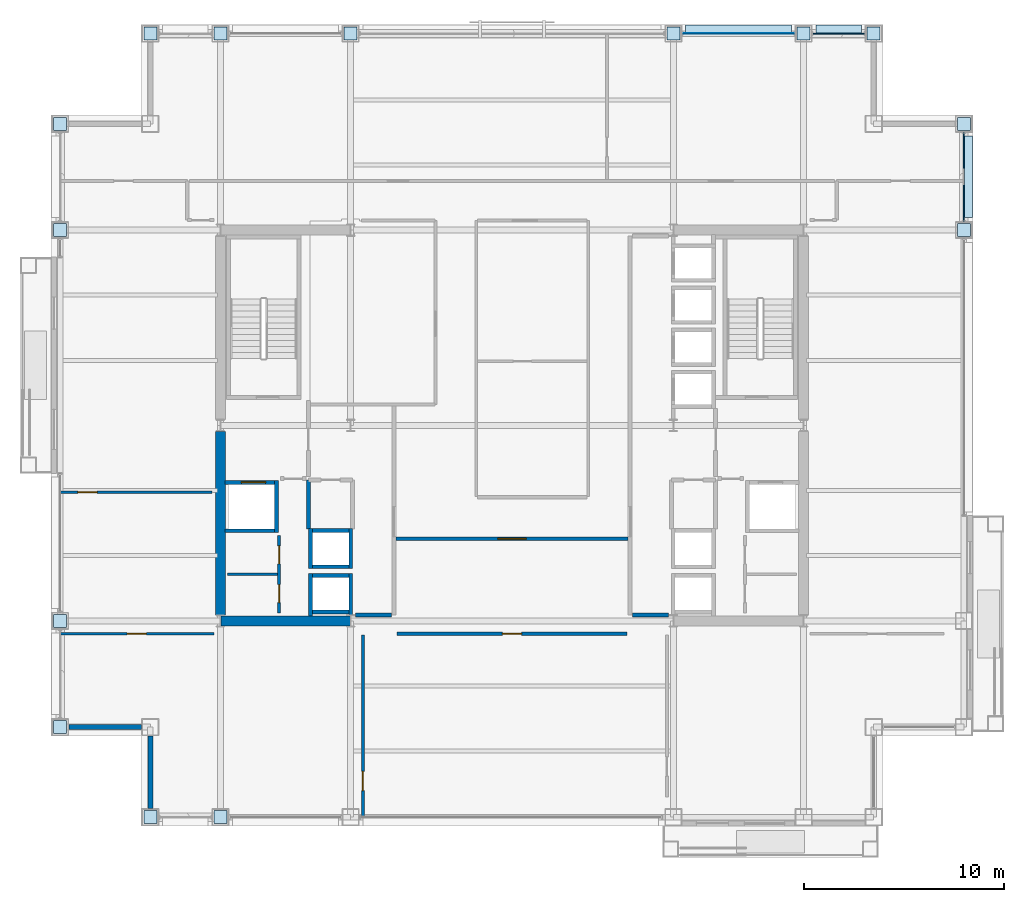
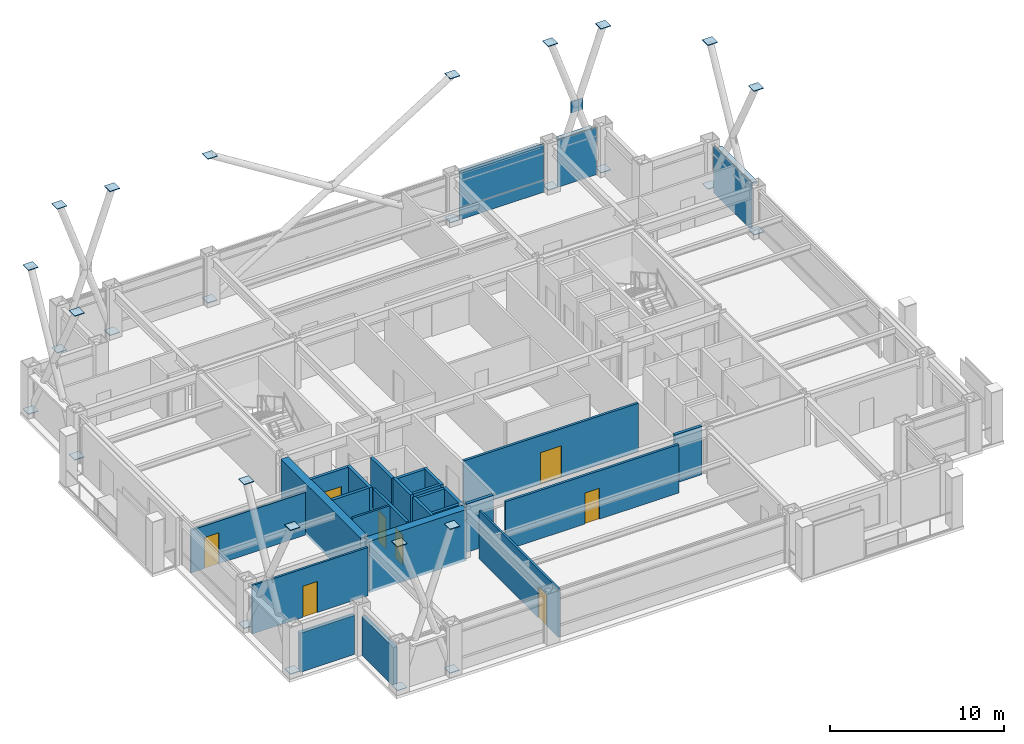
# One storey, part 28 of 34: 36 plates, 25 walls, 8 doors, 8 openings, 3 elements without a shape of their own.
"""IFC4 building model written with IfcOpenShell, lengths in metres."""

from ifc_helpers import new_model, si_unit, direction, frame, frame_2d, origin, origin_2d, place, context, subcontext, project, spatial, rectangle, extrude, material, layer, layer_set, type_object, element, fill, aggregate, save


model = new_model("IFC4")

# Units and contexts
model_context = context("Model", 3, precision=1e-05, world=origin(), true_north=direction((0.0, 1.0)))
body_context = subcontext(model_context, "Body", "Model", "MODEL_VIEW")
ifc_project = project(units=[si_unit("LENGTHUNIT", "METRE"), si_unit("AREAUNIT", "SQUARE_METRE"), si_unit("VOLUMEUNIT", "CUBIC_METRE"), si_unit("PLANEANGLEUNIT", "RADIAN"), si_unit("MASSUNIT", "GRAM", prefix="KILO")], contexts=[model_context])

# Site, building, storey
site_placement = place(None, origin())
site = spatial("IfcSite", under=ifc_project, at=site_placement, CompositionType="ELEMENT")
building_placement = place(site_placement, origin())
building = spatial("IfcBuilding", under=site, at=building_placement, Name="Brelmoor Portico Tower", CompositionType="ELEMENT")
storey_placement = place(building_placement, frame((0.0, 0.0, 99.0)))
storey = spatial("IfcBuildingStorey", under=building, at=storey_placement, Name="L25", CompositionType="ELEMENT", Elevation=99.0)

# Plates
ifc_material_1 = material(Name="Steel Q355B", Category="steel")
ifc_layer_1 = layer(ifc_material_1, 0.044921875)
ifc_layer_set_1 = layer_set([ifc_layer_1], Name="Steel Q355B")
plate_type_1 = type_object("IfcPlateType", Name="PT-CAP-650", PredefinedType="SHEET", material=ifc_layer_set_1)
for number, where, z_axis, x_axis, name in (
    (1, (-18.050048828125, -19.550048828125, 0.2275390625), (0.0, 0.0, 1.0), (1.0, 0.0, 0.0), "L25 Continuous Mega-X Brace 050A Joint Cap Plate 1"),
    (2, (-14.550048828125, -19.550048828125, 10.32763671875), (0.0, 0.0, 1.0), (1.0, 0.0, 0.0), "L25 Continuous Mega-X Brace 050A Joint Cap Plate 2"),
    (3, (-14.550048828125, -19.550048828125, 0.2275390625), (0.0, 0.0, 1.0), (1.0, 0.0, 0.0), "L25 Split Mega-X Brace 050B1 Joint Cap Plate 1"),
    (4, (-18.050048828125, -19.550048828125, 10.32763671875), (0.0, 0.0, 1.0), (1.0, 0.0, 0.0), "L25 Split Mega-X Brace 050B2 Joint Cap Plate 2"),
    (5, (-18.050048828125, 19.550048828125, 0.2275390625), (0.0, 0.0, 1.0), (1.0, 0.0, 0.0), "L25 Continuous Mega-X Brace 051A Joint Cap Plate 1"),
    (6, (-14.550048828125, 19.550048828125, 10.32763671875), (0.0, 0.0, 1.0), (1.0, 0.0, 0.0), "L25 Continuous Mega-X Brace 051A Joint Cap Plate 2"),
    (7, (-14.550048828125, 19.550048828125, 0.2275390625), (0.0, 0.0, 1.0), (1.0, 0.0, 0.0), "L25 Split Mega-X Brace 051B1 Joint Cap Plate 1"),
    (8, (-18.050048828125, 19.550048828125, 10.32763671875), (0.0, 0.0, 1.0), (1.0, 0.0, 0.0), "L25 Split Mega-X Brace 051B2 Joint Cap Plate 2"),
    (9, (-8.050048828125, 19.550048828125, 0.2275390625), (0.0, 0.0, 1.0), (1.0, 0.0, 0.0), "L25 Continuous Mega-X Brace 052A Joint Cap Plate 1"),
    (10, (8.050048828125, 19.550048828125, 10.32763671875), (0.0, 0.0, 1.0), (1.0, 0.0, 0.0), "L25 Continuous Mega-X Brace 052A Joint Cap Plate 2"),
    (11, (8.050048828125, 19.550048828125, 0.2275390625), (0.0, 0.0, 1.0), (1.0, 0.0, 0.0), "L25 Split Mega-X Brace 052B1 Joint Cap Plate 1"),
    (12, (-8.050048828125, 19.550048828125, 10.32763671875), (0.0, 0.0, 1.0), (1.0, 0.0, 0.0), "L25 Split Mega-X Brace 052B2 Joint Cap Plate 2"),
    (13, (14.550048828125, 19.550048828125, 0.2275390625), (0.0, 0.0, 1.0), (1.0, 0.0, 0.0), "L25 Continuous Mega-X Brace 053A Joint Cap Plate 1"),
    (14, (18.050048828125, 19.550048828125, 10.32763671875), (0.0, 0.0, 1.0), (1.0, 0.0, 0.0), "L25 Continuous Mega-X Brace 053A Joint Cap Plate 2"),
    (15, (18.050048828125, 19.550048828125, 0.2275390625), (0.0, 0.0, 1.0), (1.0, 0.0, 0.0), "L25 Split Mega-X Brace 053B1 Joint Cap Plate 1"),
    (16, (14.550048828125, 19.550048828125, 10.32763671875), (0.0, 0.0, 1.0), (1.0, 0.0, 0.0), "L25 Split Mega-X Brace 053B2 Joint Cap Plate 2"),
    (17, (-22.550048828125, -15.050048828125, 0.2275390625), (0.0, 0.0, 1.0), (1.0, 0.0, 0.0), "L25 Continuous Mega-X Brace 054A Joint Cap Plate 1"),
    (18, (-22.550048828125, -9.75, 10.32763671875), (0.0, 0.0, 1.0), (1.0, 0.0, 0.0), "L25 Continuous Mega-X Brace 054A Joint Cap Plate 2"),
    (19, (-22.550048828125, -9.75, 0.2275390625), (0.0, 0.0, 1.0), (1.0, 0.0, 0.0), "L25 Split Mega-X Brace 054B1 Joint Cap Plate 1"),
    (20, (-22.550048828125, -15.050048828125, 10.32763671875), (0.0, 0.0, 1.0), (1.0, 0.0, 0.0), "L25 Split Mega-X Brace 054B2 Joint Cap Plate 2"),
    (21, (-22.550048828125, 9.75, 0.2275390625), (0.0, 0.0, 1.0), (1.0, 0.0, 0.0), "L25 Continuous Mega-X Brace 055A Joint Cap Plate 1"),
    (22, (-22.550048828125, 15.050048828125, 10.32763671875), (0.0, 0.0, 1.0), (1.0, 0.0, 0.0), "L25 Continuous Mega-X Brace 055A Joint Cap Plate 2"),
    (23, (-22.550048828125, 15.050048828125, 0.2275390625), (0.0, 0.0, 1.0), (1.0, 0.0, 0.0), "L25 Split Mega-X Brace 055B1 Joint Cap Plate 1"),
    (24, (-22.550048828125, 9.75, 10.32763671875), (0.0, 0.0, 1.0), (1.0, 0.0, 0.0), "L25 Split Mega-X Brace 055B2 Joint Cap Plate 2"),
    (25, (22.550048828125, 9.75, 0.2275390625), (0.0, 0.0, 1.0), (1.0, 0.0, 0.0), "L25 Continuous Mega-X Brace 056A Joint Cap Plate 1"),
    (26, (22.550048828125, 15.050048828125, 10.32763671875), (0.0, 0.0, 1.0), (1.0, 0.0, 0.0), "L25 Continuous Mega-X Brace 056A Joint Cap Plate 2"),
    (27, (22.550048828125, 15.050048828125, 0.2275390625), (0.0, 0.0, 1.0), (1.0, 0.0, 0.0), "L25 Split Mega-X Brace 056B1 Joint Cap Plate 1"),
    (28, (22.550048828125, 9.75, 10.32763671875), (0.0, 0.0, 1.0), (1.0, 0.0, 0.0), "L25 Split Mega-X Brace 056B2 Joint Cap Plate 2"),
):
    element("IfcPlate", number, at=place(storey_placement, frame(where, z_axis=z_axis, x_axis=x_axis)), inside=storey, type_object=plate_type_1, Name=name, PredefinedType="SHEET", context=body_context, shape_type="SweptSolid", body=[
        extrude(rectangle(XDim=0.64990234375, YDim=0.64990234375, at=origin_2d()), origin(), (0.0, 0.0, 1.0), 0.044921875),
    ])

# Curtain wall, plates
ifc_material_2 = material(Name="Anodised Aluminium Alloy 6063-T6", Category="aluminium")
ifc_layer_2 = layer(ifc_material_2, 0.179931640625)
ifc_layer_set_2 = layer_set([ifc_layer_2], Name="Anodised Aluminium Alloy 6063-T6")
curtain_wall_type_1 = type_object("IfcCurtainWallType", Name="CW-TOWER-Z2", PredefinedType="NOTDEFINED", material=ifc_layer_set_2)
curtain_wall_1_placement = place(storey_placement, origin())
curtain_wall_1 = element("IfcCurtainWall", 29, at=curtain_wall_1_placement, inside=storey, type_object=curtain_wall_type_1, Name="L25 Curtain Wall CW-L25-02-4", PredefinedType="NOTDEFINED")
ifc_material_3 = material(Name="Double-Silver Low-E Insulated Glazing", Category="glass")
ifc_layer_3 = layer(ifc_material_3, 0.035888671875)
ifc_layer_set_3 = layer_set([ifc_layer_3], Name="Double-Silver Low-E Insulated Glazing")
plate_type_2 = type_object("IfcPlateType", Name="PT-CW-GLASS", PredefinedType="CURTAIN_PANEL", material=ifc_layer_set_3)
plate_1_placement = place(storey_placement, frame((11.300048828125, 19.550048828125, 0.85009765625), z_axis=(0.0, 0.0, 1.0), x_axis=(1.0, 0.0, 0.0)))
plate_1 = element("IfcPlate", 30, at=plate_1_placement, type_object=plate_type_2, Name="CW-L25-02-4 Vision Glass Panel 00", PredefinedType="CURTAIN_PANEL", context=body_context, shape_type="SweptSolid", body=[
    extrude(rectangle(XDim=5.60009765625, YDim=0.035888671875, at=origin_2d()), origin(), (0.0, 0.0, 1.0), 2.550048828125),
])
ifc_material_4 = material(Name="Pale Champagne Anodised Aluminium Panel", Category="aluminium")
ifc_layer_4 = layer(ifc_material_4, 0.050048828125)
ifc_layer_set_4 = layer_set([ifc_layer_4], Name="Pale Champagne Anodised Aluminium Panel")
plate_type_3 = type_object("IfcPlateType", Name="PT-CW-SPANDREL", PredefinedType="SHEET", material=ifc_layer_set_4)
plate_2_placement = place(storey_placement, frame((11.300048828125, 19.550048828125, 0.0), z_axis=(0.0, 0.0, 1.0), x_axis=(1.0, 0.0, 0.0)))
plate_2 = element("IfcPlate", 31, at=plate_2_placement, type_object=plate_type_3, Name="CW-L25-02-4 Spandrel Panel 00", PredefinedType="SHEET", context=body_context, shape_type="SweptSolid", body=[
    extrude(rectangle(XDim=5.60009765625, YDim=0.050048828125, at=origin_2d()), origin(), (0.0, 0.0, 1.0), 0.85009765625),
])
aggregate(curtain_wall_1, [plate_2, plate_1])

# Curtain wall, plate
ifc_layer_5 = layer(ifc_material_2, 0.179931640625)
ifc_layer_set_5 = layer_set([ifc_layer_5], Name="Anodised Aluminium Alloy 6063-T6")
curtain_wall_type_2 = type_object("IfcCurtainWallType", Name="CW-TOWER-Z2-XB", PredefinedType="NOTDEFINED", material=ifc_layer_set_5)
curtain_wall_2_placement = place(storey_placement, origin())
curtain_wall_2 = element("IfcCurtainWall", 32, at=curtain_wall_2_placement, inside=storey, type_object=curtain_wall_type_2, Name="L25 Curtain Wall CW-L25-02-5", PredefinedType="NOTDEFINED")
plate_3_placement = place(storey_placement, frame((16.300048828125, 19.550048828125, 0.0), z_axis=(0.0, 0.0, 1.0), x_axis=(1.0, 0.0, 0.0)))
plate_3 = element("IfcPlate", 33, at=plate_3_placement, type_object=plate_type_3, Name="CW-L25-02-5 Spandrel Panel 00", PredefinedType="SHEET", context=body_context, shape_type="SweptSolid", body=[
    extrude(rectangle(XDim=2.60009765625, YDim=0.050048828125, at=origin_2d()), origin(), (0.0, 0.0, 1.0), 3.330078125),
])
aggregate(curtain_wall_2, [plate_3])

curtain_wall_3_placement = place(storey_placement, origin())
curtain_wall_3 = element("IfcCurtainWall", 34, at=curtain_wall_3_placement, inside=storey, type_object=curtain_wall_type_2, Name="L25 Curtain Wall CW-L25-4R-2", PredefinedType="NOTDEFINED")
plate_4_placement = place(storey_placement, frame((22.550048828125, 12.39990234375, 0.0), z_axis=(0.0, 0.0, 1.0), x_axis=(0.0, 1.0, 0.0)))
plate_4 = element("IfcPlate", 35, at=plate_4_placement, type_object=plate_type_3, Name="CW-L25-4R-2 Spandrel Panel 00", PredefinedType="SHEET", context=body_context, shape_type="SweptSolid", body=[
    extrude(rectangle(XDim=4.39990234375, YDim=0.050048828125, at=origin_2d()), origin(), (0.0, 0.0, 1.0), 3.330078125),
])
aggregate(curtain_wall_3, [plate_4])

# Plates
ifc_layer_6 = layer(ifc_material_1, 0.050048828125)
ifc_layer_set_6 = layer_set([ifc_layer_6], Name="Steel Q355B")
plate_type_4 = type_object("IfcPlateType", Name="PT-GUSSET-800", PredefinedType="USERDEFINED", material=ifc_layer_set_6)
plate_5_placement = place(storey_placement, frame((16.300048828125, 19.550048828125, 4.89990234375), z_axis=(0.0, 0.0, 1.0), x_axis=(1.0, 0.0, 0.0)))
element("IfcPlate", 36, at=plate_5_placement, inside=storey, type_object=plate_type_4, Name="L25 Perimeter Mega-Brace Gusset 053", ObjectType="GUSSET PLATE", PredefinedType="USERDEFINED", context=body_context, shape_type="SweptSolid", body=[
    extrude(rectangle(XDim=0.800048828125, YDim=0.050048828125, at=origin_2d()), origin(), (0.0, 0.0, 1.0), 0.800048828125),
])
ifc_material_5 = material(Name="Pale Champagne Perforated Aluminium Solar Screen", Category="aluminium")
ifc_layer_7 = layer(ifc_material_5, 0.054931640625)
ifc_layer_set_7 = layer_set([ifc_layer_7], Name="Pale Champagne Perforated Aluminium Solar Screen")
plate_type_5 = type_object("IfcPlateType", Name="PT-SOLAR-LOUVRE", PredefinedType="SHEET", material=ifc_layer_set_7)
plate_6_placement = place(storey_placement, frame((11.300048828125, 19.760009765625, 3.08984375), z_axis=(0.0, 0.0, 1.0), x_axis=(1.0, 0.0, 0.0)))
element("IfcPlate", 37, at=plate_6_placement, inside=storey, type_object=plate_type_5, Name="CW-L25-02-4 Caribbean Brise-Soleil Solar Screen", PredefinedType="SHEET", context=body_context, shape_type="SweptSolid", body=[
    extrude(rectangle(XDim=5.27001953125, YDim=0.4599609375, at=origin_2d()), origin(), (0.0, 0.0, 1.0), 0.139892578125),
])
plate_7_placement = place(storey_placement, frame((16.300048828125, 19.760009765625, 3.08984375), z_axis=(0.0, 0.0, 1.0), x_axis=(1.0, 0.0, 0.0)))
element("IfcPlate", 38, at=plate_7_placement, inside=storey, type_object=plate_type_5, Name="CW-L25-02-5 Caribbean Brise-Soleil Solar Screen", PredefinedType="SHEET", context=body_context, shape_type="SweptSolid", body=[
    extrude(rectangle(XDim=2.27001953125, YDim=0.4599609375, at=origin_2d()), origin(), (0.0, 0.0, 1.0), 0.139892578125),
])
plate_8_placement = place(storey_placement, frame((22.760009765625, 12.39990234375, 3.08984375), z_axis=(0.0, 0.0, 1.0), x_axis=(0.0, 1.0, 0.0)))
element("IfcPlate", 39, at=plate_8_placement, inside=storey, type_object=plate_type_5, Name="CW-L25-4R-2 Caribbean Brise-Soleil Solar Screen", PredefinedType="SHEET", context=body_context, shape_type="SweptSolid", body=[
    extrude(rectangle(XDim=4.070068359375, YDim=0.4599609375, at=origin_2d()), origin(), (0.0, 0.0, 1.0), 0.139892578125),
])

# Walls
ifc_material_6 = material(Name="Concrete C60", Category="concrete")
ifc_layer_8 = layer(ifc_material_6, 0.5)
ifc_layer_set_8 = layer_set([ifc_layer_8], Name="Concrete C60")
wall_type_1 = type_object("IfcWallType", Name="WL-CORE-500", PredefinedType="SHEAR", material=ifc_layer_set_8)
wall_1_placement = place(storey_placement, frame((-14.530029296875, -9.75, -0.199951171875), z_axis=(0.0, 0.0, 1.0), x_axis=(1.0, 0.0, 0.0)))
element("IfcWall", 40, at=wall_1_placement, inside=storey, type_object=wall_type_1, Name="L25 WC South Shear Wall", PredefinedType="SHEAR", context=body_context, shape_type="SweptSolid", body=[
    extrude(rectangle(XDim=6.4599609375, YDim=0.5, at=frame_2d((3.22998046875, 0.0))), origin(), (0.0, 0.0, 1.0), 3.599853515625),
])
wall_2_placement = place(storey_placement, frame((-14.550048828125, -9.449951171875, -0.199951171875), z_axis=(0.0, 0.0, 1.0), x_axis=(0.0, 1.0, 0.0)))
element("IfcWall", 41, at=wall_2_placement, inside=storey, type_object=wall_type_1, Name="L25 WC Outer South Shear Wall", PredefinedType="SHEAR", context=body_context, shape_type="SweptSolid", body=[
    extrude(rectangle(XDim=9.14990234375, YDim=0.5, at=frame_2d((4.574951171875, 0.0))), origin(), (0.0, 0.0, 1.0), 3.599853515625),
])
ifc_material_7 = material(Name="Precast Concrete C40 Insulated Facade Wall", Category="concrete")
ifc_layer_9 = layer(ifc_material_7, 0.25)
ifc_layer_set_9 = layer_set([ifc_layer_9], Name="Precast Concrete C40 Insulated Facade Wall")
wall_type_2 = type_object("IfcWallType", Name="WL-EXT-250", PredefinedType="STANDARD", material=ifc_layer_set_9)
for number, where, z_axis, x_axis, name in (
    (42, (-22.114990234375, -15.050048828125, 0.0), (0.0, 0.0, 1.0), (1.0, 0.0, 0.0), "L25 Corner Notch Facade Wall NSWH1"),
    (43, (-18.050048828125, -19.114990234375, 0.0), (0.0, 0.0, 1.0), (0.0, 1.0, 0.0), "L25 Corner Notch Facade Wall NSWV1"),
):
    element("IfcWall", number, at=place(storey_placement, frame(where, z_axis=z_axis, x_axis=x_axis)), inside=storey, type_object=wall_type_2, Name=name, PredefinedType="STANDARD", context=body_context, shape_type="SweptSolid", body=[
        extrude(rectangle(XDim=3.6298828125, YDim=0.25, at=frame_2d((1.81494140625, 0.0))), origin(), (0.0, 0.0, 1.0), 2.75),
    ])
ifc_material_8 = material(Name="Insulated Stud Suite Partition", Category="gypsum")
ifc_layer_10 = layer(ifc_material_8, 0.139892578125)
ifc_layer_set_10 = layer_set([ifc_layer_10], Name="Insulated Stud Suite Partition")
wall_type_3 = type_object("IfcWallType", Name="WL-PART-140", PredefinedType="PARTITIONING", material=ifc_layer_set_10)
wall_3_placement = place(storey_placement, frame((-11.699951171875, -7.425048828125, 0.0), z_axis=(0.0, 0.0, 1.0), x_axis=(-1.0, 0.0, 0.0)))
element("IfcWall", 44, at=wall_3_placement, inside=storey, type_object=wall_type_3, Name="L25 W Core WC Divider 1", PredefinedType="PARTITIONING", context=body_context, shape_type="SweptSolid", body=[
    extrude(rectangle(XDim=2.5, YDim=0.139892578125, at=frame_2d((1.25, 0.0))), origin(), (0.0, 0.0, 1.0), 3.39990234375),
])

# Wall, opening, door
wall_4_placement = place(storey_placement, frame((-7.4404296875, -19.56005859375, 0.0), z_axis=(0.0, 0.0, 1.0), x_axis=(0.0, 1.0, 0.0)))
wall_4 = element("IfcWall", 45, at=wall_4_placement, inside=storey, type_object=wall_type_3, Name="L25 South Suite Partition 1", PredefinedType="PARTITIONING", context=body_context, shape_type="SweptSolid", body=[
    extrude(rectangle(XDim=9.10009765625, YDim=0.139892578125, at=frame_2d((4.550048828125, 0.0))), origin(), (0.0, 0.0, 1.0), 3.39990234375),
])
opening_1_placement = place(wall_4_placement, frame((1.340087890625, 0.0, 0.0)))
opening_1 = element("IfcOpeningElement", 46, at=opening_1_placement, cuts=wall_4, Name="Opening D-IN2", PredefinedType="OPENING", context=body_context, shape_type="SweptSolid", body=[
    extrude(rectangle(XDim=0.9599609375, YDim=2.179931640625, at=frame_2d((0.47998046875, 1.08984375))), frame((0.0, 0.079833984375, 0.0), z_axis=(0.0, -1.0, 0.0), x_axis=(1.0, 0.0, 0.0)), (0.0, 0.0, 1.0), 0.159912109375),
])
ifc_material_9 = material(Name="Lacquered Timber Suite Door", Category="wood")
door_type_1 = type_object("IfcDoorType", Name="DR-INT-950", OperationType="NOTDEFINED", PredefinedType="DOOR", material=ifc_material_9)
door_1_placement = place(opening_1_placement, origin())
door_1 = element("IfcDoor", 47, at=door_1_placement, inside=storey, type_object=door_type_1, Name="D-1114 L25 South Suite Connecting Door 1", OperationType="SINGLE_SWING_RIGHT", OverallHeight=2.179931640625, OverallWidth=0.9599609375, PredefinedType="DOOR", context=body_context, shape_type="SweptSolid", body=[
    extrude(rectangle(XDim=0.9599609375, YDim=2.179931640625, at=frame_2d((0.47998046875, 1.08984375))), frame((0.0, 0.02490234375, 0.0), z_axis=(0.0, -1.0, 0.0), x_axis=(1.0, 0.0, 0.0)), (0.0, 0.0, 1.0), 0.050048828125),
])
fill(opening_1, door_1)

wall_5_placement = place(storey_placement, frame((-22.56005859375, -10.39990234375, 0.0), z_axis=(0.0, 0.0, 1.0), x_axis=(1.0, 0.0, 0.0)))
wall_5 = element("IfcWall", 48, at=wall_5_placement, inside=storey, type_object=wall_type_3, Name="L25 South Wing Closure WL", PredefinedType="PARTITIONING", context=body_context, shape_type="SweptSolid", body=[
    extrude(rectangle(XDim=7.68017578125, YDim=0.139892578125, at=frame_2d((3.840087890625, 0.0))), origin(), (0.0, 0.0, 1.0), 3.39990234375),
])
opening_2_placement = place(wall_5_placement, frame((3.360107421875, 0.0, 0.0)))
opening_2 = element("IfcOpeningElement", 49, at=opening_2_placement, cuts=wall_5, Name="Opening D-IN2", PredefinedType="OPENING", context=body_context, shape_type="SweptSolid", body=[
    extrude(rectangle(XDim=0.9599609375, YDim=2.179931640625, at=frame_2d((0.47998046875, 1.08984375))), frame((0.0, 0.079833984375, 0.0), z_axis=(0.0, -1.0, 0.0), x_axis=(1.0, 0.0, 0.0)), (0.0, 0.0, 1.0), 0.159912109375),
])
door_2_placement = place(opening_2_placement, origin())
door_2 = element("IfcDoor", 50, at=door_2_placement, inside=storey, type_object=door_type_1, Name="D-1119 L25 WL Wing South Suite Door", OperationType="SINGLE_SWING_LEFT", OverallHeight=2.179931640625, OverallWidth=0.9599609375, PredefinedType="DOOR", context=body_context, shape_type="SweptSolid", body=[
    extrude(rectangle(XDim=0.9599609375, YDim=2.179931640625, at=frame_2d((0.47998046875, 1.08984375))), frame((0.0, 0.02490234375, 0.0), z_axis=(0.0, -1.0, 0.0), x_axis=(1.0, 0.0, 0.0)), (0.0, 0.0, 1.0), 0.050048828125),
])
fill(opening_2, door_2)

wall_6_placement = place(storey_placement, frame((-22.56005859375, -3.33642578125, 0.0), z_axis=(0.0, 0.0, 1.0), x_axis=(1.0, 0.0, 0.0)))
wall_6 = element("IfcWall", 51, at=wall_6_placement, inside=storey, type_object=wall_type_3, Name="L25 W Wing Partition 1", PredefinedType="PARTITIONING", context=body_context, shape_type="SweptSolid", body=[
    extrude(rectangle(XDim=7.60009765625, YDim=0.139892578125, at=frame_2d((3.800048828125, 0.0))), origin(), (0.0, 0.0, 1.0), 3.0),
])
opening_3_placement = place(wall_6_placement, frame((0.89990234375, 0.0, 0.0)))
opening_3 = element("IfcOpeningElement", 52, at=opening_3_placement, cuts=wall_6, Name="Opening D-IN2", PredefinedType="OPENING", context=body_context, shape_type="SweptSolid", body=[
    extrude(rectangle(XDim=0.9599609375, YDim=2.179931640625, at=frame_2d((0.47998046875, 1.08984375))), frame((0.0, 0.079833984375, 0.0), z_axis=(0.0, -1.0, 0.0), x_axis=(1.0, 0.0, 0.0)), (0.0, 0.0, 1.0), 0.159912109375),
])
door_3_placement = place(opening_3_placement, origin())
door_3 = element("IfcDoor", 53, at=door_3_placement, inside=storey, type_object=door_type_1, Name="D-1125 L25 W Wing Suite Connecting Door 1", OperationType="SINGLE_SWING_RIGHT", OverallHeight=2.179931640625, OverallWidth=0.9599609375, PredefinedType="DOOR", context=body_context, shape_type="SweptSolid", body=[
    extrude(rectangle(XDim=0.9599609375, YDim=2.179931640625, at=frame_2d((0.47998046875, 1.08984375))), frame((0.0, 0.02490234375, 0.0), z_axis=(0.0, -1.0, 0.0), x_axis=(1.0, 0.0, 0.0)), (0.0, 0.0, 1.0), 0.050048828125),
])
fill(opening_3, door_3)

# Wall, openings, doors
ifc_material_10 = material(Name="Twin-Frame Acoustic Partition", Category="gypsum")
ifc_layer_11 = layer(ifc_material_10, 0.159912109375)
ifc_layer_set_11 = layer_set([ifc_layer_11], Name="Twin-Frame Acoustic Partition")
wall_type_4 = type_object("IfcWallType", Name="WL-PART-160", PredefinedType="PARTITIONING", material=ifc_layer_set_11)
wall_7_placement = place(storey_placement, frame((-11.6201171875, -9.35009765625, 0.0), z_axis=(0.0, 0.0, 1.0), x_axis=(0.0, 1.0, 0.0)))
wall_7 = element("IfcWall", 54, at=wall_7_placement, inside=storey, type_object=wall_type_4, Name="L25 W Core Service Front Wall", PredefinedType="PARTITIONING", context=body_context, shape_type="SweptSolid", body=[
    extrude(rectangle(XDim=3.85009765625, YDim=0.159912109375, at=frame_2d((1.925048828125, 0.0))), origin(), (0.0, 0.0, 1.0), 3.39990234375),
])
opening_4_placement = place(wall_7_placement, frame((0.512451171875, 0.0, 0.0)))
opening_4 = element("IfcOpeningElement", 55, at=opening_4_placement, cuts=wall_7, Name="Opening D-IN1", PredefinedType="OPENING", context=body_context, shape_type="SweptSolid", body=[
    extrude(rectangle(XDim=0.89990234375, YDim=2.14990234375, at=frame_2d((0.449951171875, 1.074951171875))), frame((0.0, 0.08984375, 0.0), z_axis=(0.0, -1.0, 0.0), x_axis=(1.0, 0.0, 0.0)), (0.0, 0.0, 1.0), 0.179931640625),
])
opening_5_placement = place(wall_7_placement, frame((2.4375, 0.0, 0.0)))
opening_5 = element("IfcOpeningElement", 56, at=opening_5_placement, cuts=wall_7, Name="Opening D-IN1", PredefinedType="OPENING", context=body_context, shape_type="SweptSolid", body=[
    extrude(rectangle(XDim=0.89990234375, YDim=2.14990234375, at=frame_2d((0.449951171875, 1.074951171875))), frame((0.0, 0.08984375, 0.0), z_axis=(0.0, -1.0, 0.0), x_axis=(1.0, 0.0, 0.0)), (0.0, 0.0, 1.0), 0.179931640625),
])
door_type_2 = type_object("IfcDoorType", Name="DR-INT-900", OperationType="NOTDEFINED", PredefinedType="DOOR", material=ifc_material_9)
door_4_placement = place(opening_4_placement, origin())
door_4 = element("IfcDoor", 57, at=door_4_placement, inside=storey, type_object=door_type_2, Name="D-1099 L25 W Accessible WC Door", OperationType="SINGLE_SWING_LEFT", OverallHeight=2.14990234375, OverallWidth=0.89990234375, PredefinedType="DOOR", context=body_context, shape_type="SweptSolid", body=[
    extrude(rectangle(XDim=0.89990234375, YDim=2.14990234375, at=frame_2d((0.449951171875, 1.074951171875))), frame((0.0, 0.02490234375, 0.0), z_axis=(0.0, -1.0, 0.0), x_axis=(1.0, 0.0, 0.0)), (0.0, 0.0, 1.0), 0.050048828125),
])
fill(opening_4, door_4)
door_5_placement = place(opening_5_placement, origin())
door_5 = element("IfcDoor", 58, at=door_5_placement, inside=storey, type_object=door_type_2, Name="D-1100 L25 W Staff WC Door", OperationType="SINGLE_SWING_RIGHT", OverallHeight=2.14990234375, OverallWidth=0.89990234375, PredefinedType="DOOR", context=body_context, shape_type="SweptSolid", body=[
    extrude(rectangle(XDim=0.89990234375, YDim=2.14990234375, at=frame_2d((0.449951171875, 1.074951171875))), frame((0.0, 0.02490234375, 0.0), z_axis=(0.0, -1.0, 0.0), x_axis=(1.0, 0.0, 0.0)), (0.0, 0.0, 1.0), 0.050048828125),
])
fill(opening_5, door_5)

# Wall, opening, door
wall_8_placement = place(storey_placement, frame((-5.800048828125, -5.64990234375, 0.0), z_axis=(0.0, 0.0, 1.0), x_axis=(1.0, 0.0, 0.0)))
wall_8 = element("IfcWall", 59, at=wall_8_placement, inside=storey, type_object=wall_type_4, Name="L25 South Hub Corridor Wall", PredefinedType="PARTITIONING", context=body_context, shape_type="SweptSolid", body=[
    extrude(rectangle(XDim=11.60009765625, YDim=0.159912109375, at=frame_2d((5.800048828125, 0.0))), origin(), (0.0, 0.0, 1.0), 3.39990234375),
])
opening_6_placement = place(wall_8_placement, frame((5.10009765625, 0.0, 0.0)))
opening_6 = element("IfcOpeningElement", 60, at=opening_6_placement, cuts=wall_8, Name="Opening D-SU2", PredefinedType="OPENING", context=body_context, shape_type="SweptSolid", body=[
    extrude(rectangle(XDim=1.39990234375, YDim=2.199951171875, at=frame_2d((0.699951171875, 1.10009765625))), frame((0.0, 0.08984375, 0.0), z_axis=(0.0, -1.0, 0.0), x_axis=(1.0, 0.0, 0.0)), (0.0, 0.0, 1.0), 0.179931640625),
])
ifc_material_11 = material(Name="Double-Leaf Acoustic Suite Door", Category="timber")
door_type_3 = type_object("IfcDoorType", Name="DR-SUITE-1400", OperationType="NOTDEFINED", PredefinedType="DOOR", material=ifc_material_11)
door_6_placement = place(opening_6_placement, origin())
door_6 = element("IfcDoor", 61, at=door_6_placement, inside=storey, type_object=door_type_3, Name="D-1092 L25 South Reception Hub Door", OperationType="DOUBLE_DOOR_SINGLE_SWING", OverallHeight=2.199951171875, OverallWidth=1.39990234375, PredefinedType="DOOR", context=body_context, shape_type="SweptSolid", body=[
    extrude(rectangle(XDim=1.39990234375, YDim=2.199951171875, at=frame_2d((0.699951171875, 1.10009765625))), frame((0.0, 0.02490234375, 0.0), z_axis=(0.0, -1.0, 0.0), x_axis=(1.0, 0.0, 0.0)), (0.0, 0.0, 1.0), 0.050048828125),
])
fill(opening_6, door_6)

wall_9_placement = place(storey_placement, frame((-5.75, -10.39990234375, 0.0), z_axis=(0.0, 0.0, 1.0), x_axis=(1.0, 0.0, 0.0)))
wall_9 = element("IfcWall", 62, at=wall_9_placement, inside=storey, type_object=wall_type_4, Name="L25 South Corridor Partition", PredefinedType="PARTITIONING", context=body_context, shape_type="SweptSolid", body=[
    extrude(rectangle(XDim=11.5, YDim=0.159912109375, at=frame_2d((5.75, 0.0))), origin(), (0.0, 0.0, 1.0), 3.39990234375),
])
opening_7_placement = place(wall_9_placement, frame((5.27001953125, 0.0, 0.0)))
opening_7 = element("IfcOpeningElement", 63, at=opening_7_placement, cuts=wall_9, Name="Opening D-IN2", PredefinedType="OPENING", context=body_context, shape_type="SweptSolid", body=[
    extrude(rectangle(XDim=0.9599609375, YDim=2.179931640625, at=frame_2d((0.47998046875, 1.08984375))), frame((0.0, 0.08984375, 0.0), z_axis=(0.0, -1.0, 0.0), x_axis=(1.0, 0.0, 0.0)), (0.0, 0.0, 1.0), 0.179931640625),
])
door_7_placement = place(opening_7_placement, origin())
door_7 = element("IfcDoor", 64, at=door_7_placement, inside=storey, type_object=door_type_1, Name="D-1113 L25 South Open-Plan Office 2 Door", OperationType="SINGLE_SWING_RIGHT", OverallHeight=2.179931640625, OverallWidth=0.9599609375, PredefinedType="DOOR", context=body_context, shape_type="SweptSolid", body=[
    extrude(rectangle(XDim=0.9599609375, YDim=2.179931640625, at=frame_2d((0.47998046875, 1.08984375))), frame((0.0, 0.02490234375, 0.0), z_axis=(0.0, -1.0, 0.0), x_axis=(1.0, 0.0, 0.0)), (0.0, 0.0, 1.0), 0.050048828125),
])
fill(opening_7, door_7)

# Walls
ifc_material_12 = material(Name="Double-Stud Gypsum Fire Partition", Category="gypsum")
ifc_layer_12 = layer(ifc_material_12, 0.199951171875)
ifc_layer_set_12 = layer_set([ifc_layer_12], Name="Double-Stud Gypsum Fire Partition")
wall_type_5 = type_object("IfcWallType", Name="WL-PART-200", PredefinedType="PARTITIONING", material=ifc_layer_set_12)
wall_10_placement = place(storey_placement, frame((-6.02001953125, -9.449951171875, 0.0), z_axis=(0.0, 0.0, 1.0), x_axis=(-1.0, 0.0, 0.0)))
element("IfcWall", 65, at=wall_10_placement, inside=storey, type_object=wall_type_5, Name="L25 W Lift Lobby South End Wall", PredefinedType="PARTITIONING", context=body_context, shape_type="SweptSolid", body=[
    extrude(rectangle(XDim=1.800048828125, YDim=0.199951171875, at=frame_2d((0.89990234375, 0.0))), origin(), (0.0, 0.0, 1.0), 3.39990234375),
])
wall_11_placement = place(storey_placement, frame((-10.159912109375, -5.159912109375, 0.0), z_axis=(0.0, 0.0, 1.0), x_axis=(0.0, 1.0, 0.0)))
element("IfcWall", 66, at=wall_11_placement, inside=storey, type_object=wall_type_5, Name="L25 W Electrical Switchgear Closet Outer Wall", PredefinedType="PARTITIONING", context=body_context, shape_type="SweptSolid", body=[
    extrude(rectangle(XDim=2.43994140625, YDim=0.199951171875, at=frame_2d((1.219970703125, 0.0))), origin(), (0.0, 0.0, 1.0), 3.39990234375),
])
wall_12_placement = place(storey_placement, frame((6.02001953125, -9.449951171875, 0.0), z_axis=(0.0, 0.0, 1.0), x_axis=(1.0, 0.0, 0.0)))
element("IfcWall", 67, at=wall_12_placement, inside=storey, type_object=wall_type_5, Name="L25 E Lift Lobby South End Wall", PredefinedType="PARTITIONING", context=body_context, shape_type="SweptSolid", body=[
    extrude(rectangle(XDim=1.800048828125, YDim=0.199951171875, at=frame_2d((0.89990234375, 0.0))), origin(), (0.0, 0.0, 1.0), 3.39990234375),
])
ifc_material_13 = material(Name="Precast Concrete C40", Category="concrete")
ifc_layer_13 = layer(ifc_material_13, 0.18994140625)
ifc_layer_set_13 = layer_set([ifc_layer_13], Name="Precast Concrete C40")
wall_type_6 = type_object("IfcWallType", Name="WL-SHAFT-180", PredefinedType="SOLIDWALL", material=ifc_layer_set_13)
for number, where, z_axis, x_axis, name in (
    (68, (-8.044921875, -9.52001953125, -0.199951171875), (0.0, 0.0, 1.0), (0.0, 1.0, 0.0), "L25 Lift PH1 Hoistway Front Wall"),
    (69, (-10.054931640625, -9.52001953125, -0.199951171875), (0.0, 0.0, 1.0), (0.0, 1.0, 0.0), "L25 Lift PH1 Hoistway Back Wall"),
):
    element("IfcWall", number, at=place(storey_placement, frame(where, z_axis=z_axis, x_axis=x_axis)), inside=storey, type_object=wall_type_6, Name=name, PredefinedType="SOLIDWALL", context=body_context, shape_type="SweptSolid", body=[
        extrude(rectangle(XDim=2.1201171875, YDim=0.18994140625, at=frame_2d((1.06005859375, 0.0))), origin(), (0.0, 0.0, 1.0), 3.599853515625),
    ])
for number, where, z_axis, x_axis, name in (
    (70, (-10.14990234375, -7.4951171875, -0.199951171875), (0.0, 0.0, 1.0), (1.0, 0.0, 0.0), "L25 Lift PH1 Hoistway North Wall"),
    (71, (-10.14990234375, -9.304931640625, -0.199951171875), (0.0, 0.0, 1.0), (1.0, 0.0, 0.0), "L25 Lift PH1 Hoistway South Wall"),
):
    element("IfcWall", number, at=place(storey_placement, frame(where, z_axis=z_axis, x_axis=x_axis)), inside=storey, type_object=wall_type_6, Name=name, PredefinedType="SOLIDWALL", context=body_context, shape_type="SweptSolid", body=[
        extrude(rectangle(XDim=2.199951171875, YDim=0.18994140625, at=frame_2d((1.10009765625, 0.0))), origin(), (0.0, 0.0, 1.0), 3.599853515625),
    ])
for number, where, z_axis, x_axis, name in (
    (72, (-8.044921875, -7.14990234375, -0.199951171875), (0.0, 0.0, 1.0), (0.0, 1.0, 0.0), "L25 Lift PH2 Hoistway Front Wall"),
    (73, (-10.054931640625, -7.14990234375, -0.199951171875), (0.0, 0.0, 1.0), (0.0, 1.0, 0.0), "L25 Lift PH2 Hoistway Back Wall"),
):
    element("IfcWall", number, at=place(storey_placement, frame(where, z_axis=z_axis, x_axis=x_axis)), inside=storey, type_object=wall_type_6, Name=name, PredefinedType="SOLIDWALL", context=body_context, shape_type="SweptSolid", body=[
        extrude(rectangle(XDim=2.0, YDim=0.18994140625, at=frame_2d((1.0, 0.0))), origin(), (0.0, 0.0, 1.0), 3.599853515625),
    ])
for number, where, z_axis, x_axis, name in (
    (74, (-10.14990234375, -5.2451171875, -0.199951171875), (0.0, 0.0, 1.0), (1.0, 0.0, 0.0), "L25 Lift PH2 Hoistway North Wall"),
    (75, (-10.14990234375, -7.054931640625, -0.199951171875), (0.0, 0.0, 1.0), (1.0, 0.0, 0.0), "L25 Lift PH2 Hoistway South Wall"),
):
    element("IfcWall", number, at=place(storey_placement, frame(where, z_axis=z_axis, x_axis=x_axis)), inside=storey, type_object=wall_type_6, Name=name, PredefinedType="SOLIDWALL", context=body_context, shape_type="SweptSolid", body=[
        extrude(rectangle(XDim=2.199951171875, YDim=0.18994140625, at=frame_2d((1.10009765625, 0.0))), origin(), (0.0, 0.0, 1.0), 3.599853515625),
    ])

# Wall, opening, door
wall_13_placement = place(storey_placement, frame((-14.330078125, -2.844970703125, -0.199951171875), z_axis=(0.0, 0.0, 1.0), x_axis=(1.0, 0.0, 0.0)))
wall_13 = element("IfcWall", 76, at=wall_13_placement, inside=storey, type_object=wall_type_6, Name="L25 Lift FF1 Hoistway Front Wall", PredefinedType="SOLIDWALL", context=body_context, shape_type="SweptSolid", body=[
    extrude(rectangle(XDim=2.68017578125, YDim=0.18994140625, at=frame_2d((1.340087890625, 0.0))), origin(), (0.0, 0.0, 1.0), 3.599853515625),
])
opening_8_placement = place(wall_13_placement, frame((0.830078125, 0.0, 0.199951171875)))
opening_8 = element("IfcOpeningElement", 77, at=opening_8_placement, cuts=wall_13, Name="Opening LD-02", PredefinedType="OPENING", context=body_context, shape_type="SweptSolid", body=[
    extrude(rectangle(XDim=1.199951171875, YDim=2.199951171875, at=frame_2d((0.60009765625, 1.10009765625))), frame((0.0, 0.10498046875, 0.0), z_axis=(0.0, -1.0, 0.0), x_axis=(1.0, 0.0, 0.0)), (0.0, 0.0, 1.0), 0.2099609375),
])
ifc_material_14 = material(Name="Brushed Stainless Steel Firefighting Lift Door", Category="steel")
door_type_4 = type_object("IfcDoorType", Name="DR-LIFT-1200", OperationType="NOTDEFINED", PredefinedType="DOOR", material=ifc_material_14)
door_8_placement = place(opening_8_placement, origin())
door_8 = element("IfcDoor", 78, at=door_8_placement, inside=storey, type_object=door_type_4, Name="D-1126 L25 Lift FF1 Sliding Landing Door", OperationType="SLIDING_TO_LEFT", OverallHeight=2.199951171875, OverallWidth=1.199951171875, PredefinedType="DOOR", context=body_context, shape_type="SweptSolid", body=[
    extrude(rectangle(XDim=1.199951171875, YDim=2.199951171875, at=frame_2d((0.60009765625, 1.10009765625))), frame((0.0, 0.02490234375, 0.0), z_axis=(0.0, -1.0, 0.0), x_axis=(1.0, 0.0, 0.0)), (0.0, 0.0, 1.0), 0.050048828125),
])
fill(opening_8, door_8)

# Walls
wall_14_placement = place(storey_placement, frame((-14.330078125, -5.2548828125, -0.199951171875), z_axis=(0.0, 0.0, 1.0), x_axis=(1.0, 0.0, 0.0)))
element("IfcWall", 79, at=wall_14_placement, inside=storey, type_object=wall_type_6, Name="L25 Firefighting Lift FF1 South Wall", PredefinedType="SOLIDWALL", context=body_context, shape_type="SweptSolid", body=[
    extrude(rectangle(XDim=2.68017578125, YDim=0.18994140625, at=frame_2d((1.340087890625, 0.0))), origin(), (0.0, 0.0, 1.0), 3.599853515625),
])
wall_15_placement = place(storey_placement, frame((-11.7451171875, -5.35009765625, -0.199951171875), z_axis=(0.0, 0.0, 1.0), x_axis=(0.0, 1.0, 0.0)))
element("IfcWall", 80, at=wall_15_placement, inside=storey, type_object=wall_type_6, Name="L25 Firefighting Lift FF1 Inner Wall", PredefinedType="SOLIDWALL", context=body_context, shape_type="SweptSolid", body=[
    extrude(rectangle(XDim=2.60009765625, YDim=0.18994140625, at=frame_2d((1.300048828125, 0.0))), origin(), (0.0, 0.0, 1.0), 3.599853515625),
])

save(model, "model.ifc")
